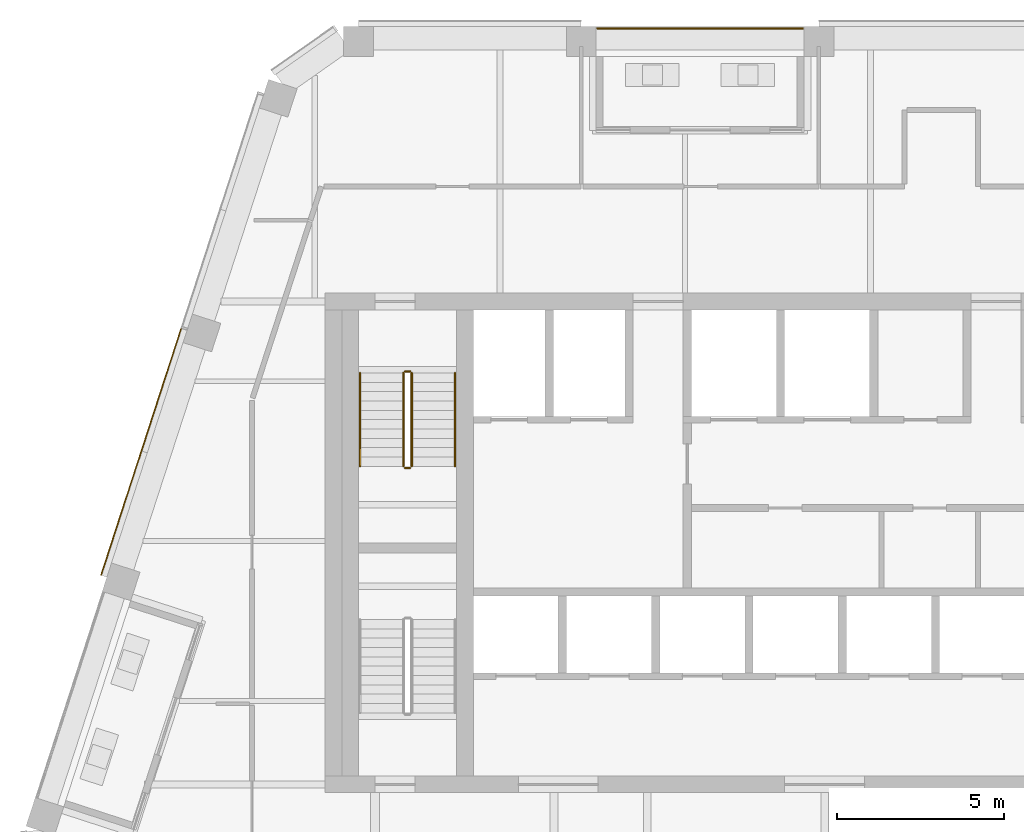
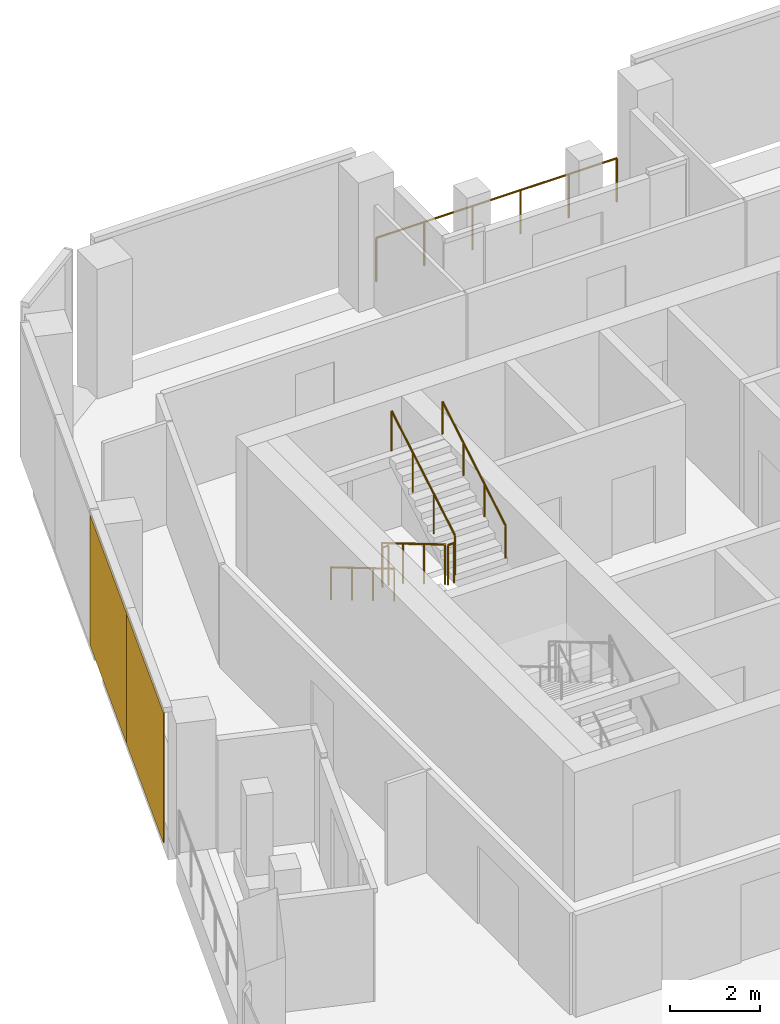
# One storey, part 18 of 20: 7 railings, 2 coverings, 1 element without a shape of its own.
"""IFC4 building model written with IfcOpenShell, lengths in metres."""

from ifc_helpers import new_model, si_unit, direction, frame, origin, origin_2d, place, context, subcontext, project, spatial, rectangle, circle, extrude, material, layer, layer_set, type_object, element, aggregate, save


model = new_model("IFC4")

# Units and contexts
model_context = context("Model", 3, precision=1e-05, world=origin(), true_north=direction((0.0, 1.0)))
body_context = subcontext(model_context, "Body", "Model", "MODEL_VIEW")
ifc_project = project(units=[si_unit("LENGTHUNIT", "METRE"), si_unit("AREAUNIT", "SQUARE_METRE"), si_unit("VOLUMEUNIT", "CUBIC_METRE"), si_unit("PLANEANGLEUNIT", "RADIAN"), si_unit("MASSUNIT", "GRAM", prefix="KILO")], contexts=[model_context])

# Site, building, storey
site_placement = place(None, origin())
site = spatial("IfcSite", under=ifc_project, at=site_placement, CompositionType="ELEMENT")
building_placement = place(site_placement, origin())
building = spatial("IfcBuilding", under=site, at=building_placement, Name="Isthmus Gate Tower", CompositionType="ELEMENT")
storey_placement = place(building_placement, frame((0.0, 0.0, 279.199951171875)))
storey = spatial("IfcBuildingStorey", under=building, at=storey_placement, Name="L71", CompositionType="ELEMENT", Elevation=279.199951171875)

# Curtain wall, coverings
ifc_material_1 = material(Name="Aluminium, pale champagne anodised", Category="aluminium")
ifc_layer_1 = layer(ifc_material_1, 0.199951171875)
ifc_layer_set_1 = layer_set([ifc_layer_1], Name="CW-1 UNITISED CURTAIN WALL 200 DEEP")
curtain_wall_type = type_object("IfcCurtainWallType", Name="CW-1 UNITISED CURTAIN WALL 200 DEEP", PredefinedType="NOTDEFINED", material=ifc_layer_set_1)
curtain_wall_placement = place(storey_placement, origin())
curtain_wall = element("IfcCurtainWall", 1, at=curtain_wall_placement, inside=storey, type_object=curtain_wall_type, Name="CW-1 NW L71", PredefinedType="NOTDEFINED")
ifc_material_2 = material(Name="Aluminium composite panel, pale champagne anodised", Category="aluminium")
ifc_layer_2 = layer(ifc_material_2, 0.031982421875)
ifc_layer_set_2 = layer_set([ifc_layer_2], Name="CW-1 PALE METAL PANEL 32")
covering_type = type_object("IfcCoveringType", Name="CW-1 PALE METAL PANEL 32", PredefinedType="CLADDING", material=ifc_layer_set_2)
covering_1_placement = place(storey_placement, frame((-19.916259765625, 12.10302734375, 0.0), z_axis=(0.0, 0.0, 1.0), x_axis=(-0.309016994375, -0.951056516295, 0.0)))
covering_1 = element("IfcCovering", 2, at=covering_1_placement, type_object=covering_type, Name="CW-1 pale metal panel", PredefinedType="CLADDING", context=body_context, shape_type="SweptSolid", body=[
    extrude(rectangle(XDim=3.868408203125, YDim=0.031982421875, at=origin_2d()), origin(), (0.0, 0.0, 1.0), 3.52001953125),
])
covering_2_placement = place(storey_placement, frame((-21.120849609375, 8.395263671875, 0.0), z_axis=(0.0, 0.0, 1.0), x_axis=(-0.309016994375, -0.951056516295, 0.0)))
covering_2 = element("IfcCovering", 3, at=covering_2_placement, type_object=covering_type, Name="CW-1 pale metal panel", PredefinedType="CLADDING", context=body_context, shape_type="SweptSolid", body=[
    extrude(rectangle(XDim=3.928466796875, YDim=0.031982421875, at=origin_2d()), origin(), (0.0, 0.0, 1.0), 3.52001953125),
])
aggregate(curtain_wall, [covering_1, covering_2])

# Railings
ifc_material_3 = material(Name="Toughened laminated glass with stainless steel posts", Category="steel")
railing_type_1 = type_object("IfcRailingType", Name="GUARD 1200 FRAMELESS GLASS", PredefinedType="GUARDRAIL", material=ifc_material_3)
railing_1_placement = place(storey_placement, frame((-0.6650390625, 22.949951171875, 0.0)))
element("IfcRailing", 4, at=railing_1_placement, inside=storey, type_object=railing_type_1, Name="LOGGIA GUARD", PredefinedType="GUARDRAIL", context=body_context, shape_type="SweptSolid", body=[
    extrude(circle(Radius=0.02490234375, at=origin_2d()), frame((0.0, 0.0, 1.1748046875), z_axis=(-1.0, 0.0, 0.0), x_axis=(0.0, -1.0, 0.0)), (0.0, 0.0, 1.0), 6.154541015625),
    extrude(circle(Radius=0.02490234375, at=origin_2d()), origin(), (0.0, 0.0, 1.0), 1.14990234375),
    extrude(circle(Radius=0.02490234375, at=origin_2d()), frame((-1.23095703125, 0.0, 0.0)), (0.0, 0.0, 1.0), 1.14990234375),
    extrude(circle(Radius=0.02490234375, at=origin_2d()), frame((-2.4619140625, 0.0, 0.0)), (0.0, 0.0, 1.0), 1.14990234375),
    extrude(circle(Radius=0.02490234375, at=origin_2d()), frame((-3.692626953125, 0.0, 0.0)), (0.0, 0.0, 1.0), 1.14990234375),
    extrude(circle(Radius=0.02490234375, at=origin_2d()), frame((-4.923583984375, 0.0, 0.0)), (0.0, 0.0, 1.0), 1.14990234375),
    extrude(circle(Radius=0.02490234375, at=origin_2d()), frame((-6.154541015625, 0.0, 0.0)), (0.0, 0.0, 1.0), 1.14990234375),
])
ifc_material_4 = material(Name="Stainless steel balustrade", Category="steel")
railing_type_2 = type_object("IfcRailingType", Name="STAIR GUARD 1100", PredefinedType="GUARDRAIL", material=ifc_material_4)
railing_2_placement = place(storey_placement, frame((-12.64990234375, 12.60009765625, 0.166015625)))
element("IfcRailing", 5, at=railing_2_placement, inside=storey, type_object=railing_type_2, Name="L71 ST1 stair guard 1", PredefinedType="GUARDRAIL", context=body_context, shape_type="SweptSolid", body=[
    extrude(circle(Radius=0.02392578125, at=origin_2d()), frame((0.0, 0.0, 1.076171875), z_axis=(0.0, -0.860339051648, 0.50972219513), x_axis=(1.0, 0.0, 0.0)), (0.0, 0.0, 1.0), 3.254638671875),
    extrude(circle(Radius=0.02099609375, at=origin_2d()), origin(), (0.0, 0.0, 1.0), 1.052001953125),
    extrude(circle(Radius=0.02099609375, at=origin_2d()), frame((0.0, -0.933349609375, 0.552978515625)), (0.0, 0.0, 1.0), 1.052001953125),
    extrude(circle(Radius=0.02099609375, at=origin_2d()), frame((0.0, -1.86669921875, 1.10595703125)), (0.0, 0.0, 1.0), 1.052001953125),
    extrude(circle(Radius=0.02099609375, at=origin_2d()), frame((0.0, -2.800048828125, 1.658935546875)), (0.0, 0.0, 1.0), 1.052001953125),
])
railing_3_placement = place(storey_placement, frame((-12.60009765625, 9.75, 1.824951171875)))
element("IfcRailing", 6, at=railing_3_placement, inside=storey, type_object=railing_type_2, Name="L71 ST1 stair guard 2", PredefinedType="GUARDRAIL", context=body_context, shape_type="SweptSolid", body=[
    extrude(circle(Radius=0.02392578125, at=origin_2d()), frame((0.0, 0.0, 1.076171875), z_axis=(1.0, 0.0, 0.0), x_axis=(0.0, 1.0, 0.0)), (0.0, 0.0, 1.0), 0.150146484375),
    extrude(circle(Radius=0.02099609375, at=origin_2d()), origin(), (0.0, 0.0, 1.0), 1.052001953125),
    extrude(circle(Radius=0.02099609375, at=origin_2d()), frame((0.150146484375, 0.0, 0.0)), (0.0, 0.0, 1.0), 1.052001953125),
])
railing_4_placement = place(storey_placement, frame((-12.39990234375, 9.800048828125, 1.990966796875)))
element("IfcRailing", 7, at=railing_4_placement, inside=storey, type_object=railing_type_2, Name="L71 ST1 stair guard 3", PredefinedType="GUARDRAIL", context=body_context, shape_type="SweptSolid", body=[
    extrude(circle(Radius=0.02392578125, at=origin_2d()), frame((0.0, 0.0, 1.076171875), z_axis=(0.0, 0.860306154799, 0.50977771628), x_axis=(-1.0, 0.0, 0.0)), (0.0, 0.0, 1.0), 3.254638671875),
    extrude(circle(Radius=0.02099609375, at=origin_2d()), origin(), (0.0, 0.0, 1.0), 1.052001953125),
    extrude(circle(Radius=0.02099609375, at=origin_2d()), frame((0.0, 0.933349609375, 0.552978515625)), (0.0, 0.0, 1.0), 1.052001953125),
    extrude(circle(Radius=0.02099609375, at=origin_2d()), frame((0.0, 1.86669921875, 1.106201171875)), (0.0, 0.0, 1.0), 1.052001953125),
    extrude(circle(Radius=0.02099609375, at=origin_2d()), frame((0.0, 2.800048828125, 1.6591796875)), (0.0, 0.0, 1.0), 1.052001953125),
])
railing_5_placement = place(storey_placement, frame((-12.60009765625, 12.64990234375, 0.0)))
element("IfcRailing", 8, at=railing_5_placement, inside=storey, type_object=railing_type_2, Name="L71 ST1 stair guard 4", PredefinedType="GUARDRAIL", context=body_context, shape_type="SweptSolid", body=[
    extrude(circle(Radius=0.02392578125, at=origin_2d()), frame((0.0, 0.0, 1.076171875), z_axis=(1.0, 0.0, 0.0), x_axis=(0.0, 1.0, 0.0)), (0.0, 0.0, 1.0), 0.150146484375),
    extrude(circle(Radius=0.02099609375, at=origin_2d()), origin(), (0.0, 0.0, 1.0), 1.052001953125),
    extrude(circle(Radius=0.02099609375, at=origin_2d()), frame((0.150146484375, 0.0, 0.0)), (0.0, 0.0, 1.0), 1.052001953125),
])
ifc_material_5 = material(Name="Stainless steel handrail", Category="steel")
railing_type_3 = type_object("IfcRailingType", Name="STAIR HANDRAIL 900", PredefinedType="HANDRAIL", material=ifc_material_5)
railing_6_placement = place(storey_placement, frame((-13.949951171875, 12.60009765625, 0.166015625)))
element("IfcRailing", 9, at=railing_6_placement, inside=storey, type_object=railing_type_3, Name="L71 ST1 stair handrail 1", PredefinedType="HANDRAIL", context=body_context, shape_type="SweptSolid", body=[
    extrude(circle(Radius=0.02392578125, at=origin_2d()), frame((0.0, 0.0, 0.8759765625), z_axis=(0.0, -0.860339051648, 0.50972219513), x_axis=(1.0, 0.0, 0.0)), (0.0, 0.0, 1.0), 3.254638671875),
    extrude(circle(Radius=0.02099609375, at=origin_2d()), origin(), (0.0, 0.0, 1.0), 0.851806640625),
    extrude(circle(Radius=0.02099609375, at=origin_2d()), frame((0.0, -0.933349609375, 0.552978515625)), (0.0, 0.0, 1.0), 0.851806640625),
    extrude(circle(Radius=0.02099609375, at=origin_2d()), frame((0.0, -1.86669921875, 1.10595703125)), (0.0, 0.0, 1.0), 0.851806640625),
    extrude(circle(Radius=0.02099609375, at=origin_2d()), frame((0.0, -2.800048828125, 1.658935546875)), (0.0, 0.0, 1.0), 0.851806640625),
])
railing_7_placement = place(storey_placement, frame((-11.10009765625, 9.800048828125, 1.990966796875)))
element("IfcRailing", 10, at=railing_7_placement, inside=storey, type_object=railing_type_3, Name="L71 ST1 stair handrail 2", PredefinedType="HANDRAIL", context=body_context, shape_type="SweptSolid", body=[
    extrude(circle(Radius=0.02392578125, at=origin_2d()), frame((0.0, 0.0, 0.8759765625), z_axis=(0.0, 0.860306154799, 0.50977771628), x_axis=(-1.0, 0.0, 0.0)), (0.0, 0.0, 1.0), 3.254638671875),
    extrude(circle(Radius=0.02099609375, at=origin_2d()), origin(), (0.0, 0.0, 1.0), 0.851806640625),
    extrude(circle(Radius=0.02099609375, at=origin_2d()), frame((0.0, 0.933349609375, 0.552978515625)), (0.0, 0.0, 1.0), 0.851806640625),
    extrude(circle(Radius=0.02099609375, at=origin_2d()), frame((0.0, 1.86669921875, 1.106201171875)), (0.0, 0.0, 1.0), 0.851806640625),
    extrude(circle(Radius=0.02099609375, at=origin_2d()), frame((0.0, 2.800048828125, 1.6591796875)), (0.0, 0.0, 1.0), 0.851806640625),
])

save(model, "model.ifc")
